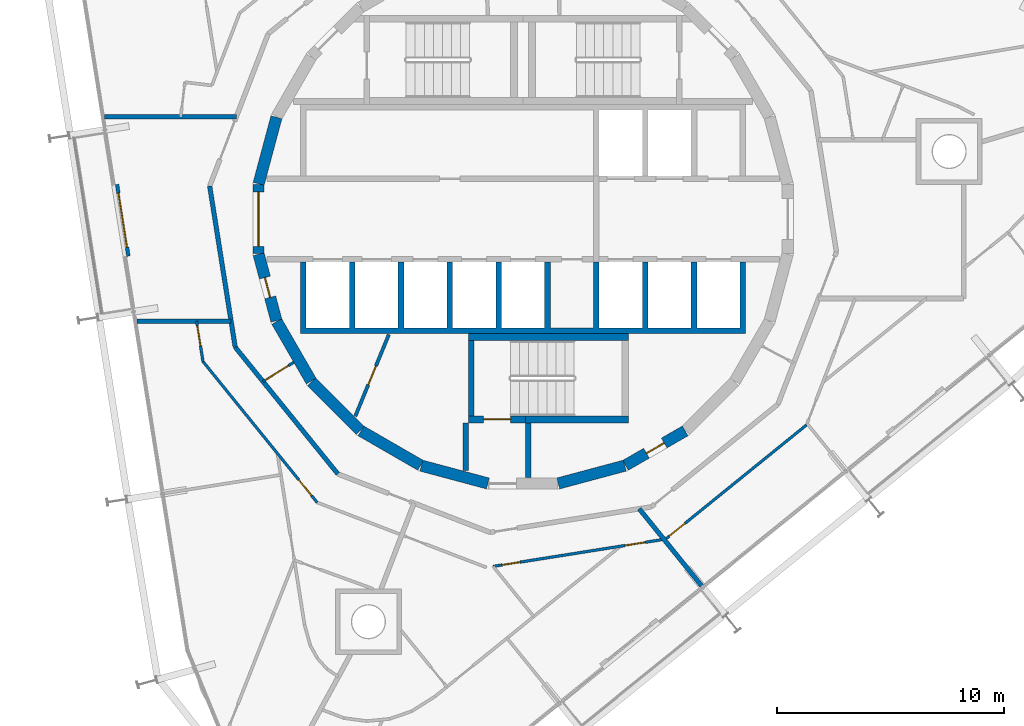
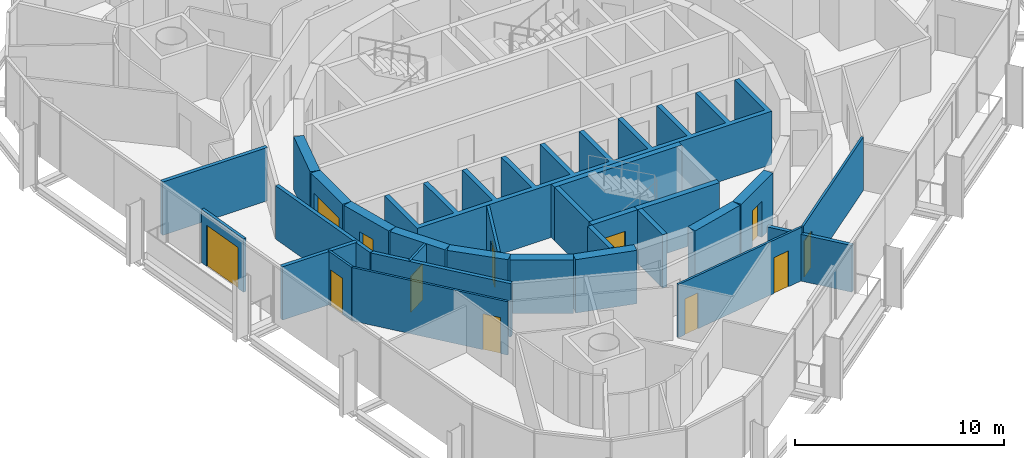
# One storey, part 12 of 17: 28 walls, 12 doors, 12 openings.
"""IFC4 building model written with IfcOpenShell, lengths in metres."""

from ifc_helpers import new_model, si_unit, direction, frame, frame_2d, origin, place, context, subcontext, project, spatial, polyline, rectangle, outline, extrude, material, layer, layer_set, type_object, element, fill, save


model = new_model("IFC4")

# Units and contexts
model_context = context("Model", 3, precision=1e-05, world=origin(), true_north=direction((0.0, 1.0)))
body_context = subcontext(model_context, "Body", "Model", "MODEL_VIEW")
ifc_project = project(units=[si_unit("LENGTHUNIT", "METRE"), si_unit("AREAUNIT", "SQUARE_METRE"), si_unit("VOLUMEUNIT", "CUBIC_METRE"), si_unit("PLANEANGLEUNIT", "RADIAN"), si_unit("MASSUNIT", "GRAM", prefix="KILO")], contexts=[model_context])

# Site, building, storey
site_placement = place(None, origin())
site = spatial("IfcSite", under=ifc_project, at=site_placement, CompositionType="ELEMENT")
building_placement = place(site_placement, origin())
building = spatial("IfcBuilding", under=site, at=building_placement, Name="Spindle Arch Residences", CompositionType="ELEMENT")
storey_placement = place(building_placement, frame((0.0, 0.0, 270.39990234375)))
storey = spatial("IfcBuildingStorey", under=building, at=storey_placement, Name="L69", CompositionType="ELEMENT", Elevation=270.39990234375)

# Wall
ifc_material_1 = material(Name="Concrete C50/60", Category="concrete")
ifc_layer_1 = layer(ifc_material_1, 0.5)
ifc_layer_set_1 = layer_set([ifc_layer_1], Name="Core outline wall 500")
wall_type_1 = type_object("IfcWallType", Name="Core outline wall 500", PredefinedType="SHEAR", material=ifc_layer_set_1)
wall_1_placement = place(storey_placement, frame((1.5498046875, -11.642822265625, 0.0), z_axis=(0.0, 0.0, 1.0), x_axis=(0.965948410781, 0.258734743916, 0.0)))
element("IfcWall", 1, at=wall_1_placement, inside=storey, type_object=wall_type_1, Name="Core outline wall 1", PredefinedType="SHEAR", context=body_context, shape_type="SweptSolid", body=[
    extrude(rectangle(XDim=3.03271484375, YDim=0.5, at=frame_2d((1.516357421875, 0.0))), origin(), (0.0, 0.0, 1.0), 3.1201171875),
])

# Wall, opening, door
wall_2_placement = place(storey_placement, frame((4.510498046875, -10.84521484375, 0.0), z_axis=(0.0, 0.0, 1.0), x_axis=(0.865975092491, 0.500087131594, 0.0)))
wall_2 = element("IfcWall", 2, at=wall_2_placement, inside=storey, type_object=wall_type_1, Name="Core outline wall 2", PredefinedType="SHEAR", context=body_context, shape_type="SweptSolid", body=[
    extrude(rectangle(XDim=3.03271484375, YDim=0.5, at=frame_2d((1.516357421875, 0.0))), origin(), (0.0, 0.0, 1.0), 3.1201171875),
])
opening_1_placement = place(wall_2_placement, frame((1.06640625, 0.0, 0.0)))
opening_1 = element("IfcOpeningElement", 3, at=opening_1_placement, cuts=wall_2, Name="Opening R7A0-WD07", PredefinedType="OPENING", context=body_context, shape_type="SweptSolid", body=[
    extrude(rectangle(XDim=0.89990234375, YDim=2.10009765625, at=frame_2d((0.449951171875, 1.050048828125))), frame((0.0, 0.260009765625, 0.0), z_axis=(0.0, -1.0, 0.0), x_axis=(1.0, 0.0, 0.0)), (0.0, 0.0, 1.0), 0.52001953125),
])
ifc_material_2 = material(Name="Steel, fire-resisting door", Category="steel")
door_type_1 = type_object("IfcDoorType", Name="Service room door 900x2100", OperationType="SINGLE_SWING_LEFT", PredefinedType="DOOR", material=ifc_material_2)
door_1_placement = place(opening_1_placement, origin())
door_1 = element("IfcDoor", 4, at=door_1_placement, inside=storey, type_object=door_type_1, Name="Service room door R7A0-WD07", OperationType="SINGLE_SWING_LEFT", OverallHeight=2.10009765625, OverallWidth=0.89990234375, PredefinedType="DOOR", context=body_context, shape_type="SweptSolid", body=[
    extrude(rectangle(XDim=0.89990234375, YDim=2.10009765625, at=frame_2d((0.449951171875, 1.050048828125))), frame((0.0, 0.02490234375, 0.0), z_axis=(0.0, -1.0, 0.0), x_axis=(1.0, 0.0, 0.0)), (0.0, 0.0, 1.0), 0.050048828125),
])
fill(opening_1, door_1)

# Wall
wall_3_placement = place(storey_placement, frame((-10.858154296875, 4.479248046875, 0.0), z_axis=(0.0, 0.0, 1.0), x_axis=(-0.258734743916, -0.965948410781, 0.0)))
element("IfcWall", 5, at=wall_3_placement, inside=storey, type_object=wall_type_1, Name="Core outline wall 17", PredefinedType="SHEAR", context=body_context, shape_type="SweptSolid", body=[
    extrude(rectangle(XDim=3.03271484375, YDim=0.5, at=frame_2d((1.516357421875, 0.0))), origin(), (0.0, 0.0, 1.0), 3.1201171875),
])

# Wall, opening, door
wall_4_placement = place(storey_placement, frame((-11.647216796875, 1.516357421875, 0.0), z_axis=(0.0, 0.0, 1.0), x_axis=(0.0, -1.0, 0.0)))
wall_4 = element("IfcWall", 6, at=wall_4_placement, inside=storey, type_object=wall_type_1, Name="Core outline wall 18", PredefinedType="SHEAR", context=body_context, shape_type="SweptSolid", body=[
    extrude(rectangle(XDim=3.03271484375, YDim=0.5, at=frame_2d((1.516357421875, 0.0))), origin(), (0.0, 0.0, 1.0), 3.1201171875),
])
opening_2_placement = place(wall_4_placement, frame((0.31640625, 0.0, 0.0)))
opening_2 = element("IfcOpeningElement", 7, at=opening_2_placement, cuts=wall_4, Name="Opening R7A0-LE01", PredefinedType="OPENING", context=body_context, shape_type="SweptSolid", body=[
    extrude(rectangle(XDim=2.39990234375, YDim=2.10009765625, at=frame_2d((1.199951171875, 1.050048828125))), frame((0.0, 0.260009765625, 0.0), z_axis=(0.0, -1.0, 0.0), x_axis=(1.0, 0.0, 0.0)), (0.0, 0.0, 1.0), 0.52001953125),
])
ifc_material_3 = material(Name="Steel, fire-resisting door", Category="steel")
door_type_2 = type_object("IfcDoorType", Name="Lift lobby entrance door 2400x2100", OperationType="DOUBLE_DOOR_SINGLE_SWING", PredefinedType="DOOR", material=ifc_material_3)
door_2_placement = place(opening_2_placement, origin())
door_2 = element("IfcDoor", 8, at=door_2_placement, inside=storey, type_object=door_type_2, Name="Lift lobby entrance door R7A0-LE01", OperationType="DOUBLE_DOOR_SINGLE_SWING", OverallHeight=2.10009765625, OverallWidth=2.39990234375, PredefinedType="DOOR", context=body_context, shape_type="SweptSolid", body=[
    extrude(rectangle(XDim=2.39990234375, YDim=2.10009765625, at=frame_2d((1.199951171875, 1.050048828125))), frame((0.0, 0.02490234375, 0.0), z_axis=(0.0, -1.0, 0.0), x_axis=(1.0, 0.0, 0.0)), (0.0, 0.0, 1.0), 0.050048828125),
])
fill(opening_2, door_2)

wall_5_placement = place(storey_placement, frame((-11.642822265625, -1.5498046875, 0.0), z_axis=(0.0, 0.0, 1.0), x_axis=(0.258734743916, -0.965948410781, 0.0)))
wall_5 = element("IfcWall", 9, at=wall_5_placement, inside=storey, type_object=wall_type_1, Name="Core outline wall 19", PredefinedType="SHEAR", context=body_context, shape_type="SweptSolid", body=[
    extrude(rectangle(XDim=3.03271484375, YDim=0.5, at=frame_2d((1.516357421875, 0.0))), origin(), (0.0, 0.0, 1.0), 3.1201171875),
])
opening_3_placement = place(wall_5_placement, frame((1.06640625, 0.0, 0.0)))
opening_3 = element("IfcOpeningElement", 10, at=opening_3_placement, cuts=wall_5, Name="Opening R7A0-WD08", PredefinedType="OPENING", context=body_context, shape_type="SweptSolid", body=[
    extrude(rectangle(XDim=0.89990234375, YDim=2.10009765625, at=frame_2d((0.449951171875, 1.050048828125))), frame((0.0, 0.260009765625, 0.0), z_axis=(0.0, -1.0, 0.0), x_axis=(1.0, 0.0, 0.0)), (0.0, 0.0, 1.0), 0.52001953125),
])
door_3_placement = place(opening_3_placement, origin())
door_3 = element("IfcDoor", 11, at=door_3_placement, inside=storey, type_object=door_type_1, Name="Service room door R7A0-WD08", OperationType="SINGLE_SWING_RIGHT", OverallHeight=2.10009765625, OverallWidth=0.89990234375, PredefinedType="DOOR", context=body_context, shape_type="SweptSolid", body=[
    extrude(rectangle(XDim=0.89990234375, YDim=2.10009765625, at=frame_2d((0.449951171875, 1.050048828125))), frame((0.0, 0.02490234375, 0.0), z_axis=(0.0, -1.0, 0.0), x_axis=(1.0, 0.0, 0.0)), (0.0, 0.0, 1.0), 0.050048828125),
])
fill(opening_3, door_3)

# Walls
wall_6_placement = place(storey_placement, frame((-10.84521484375, -4.510498046875, 0.0), z_axis=(0.0, 0.0, 1.0), x_axis=(0.500087131594, -0.865975092491, 0.0)))
element("IfcWall", 12, at=wall_6_placement, inside=storey, type_object=wall_type_1, Name="Core outline wall 20", PredefinedType="SHEAR", context=body_context, shape_type="SweptSolid", body=[
    extrude(rectangle(XDim=3.03271484375, YDim=0.5, at=frame_2d((1.516357421875, 0.0))), origin(), (0.0, 0.0, 1.0), 3.1201171875),
])
wall_7_placement = place(storey_placement, frame((-9.30810546875, -7.163818359375, 0.0), z_axis=(0.0, 0.0, 1.0), x_axis=(0.707106781187, -0.707106781187, 0.0)))
element("IfcWall", 13, at=wall_7_placement, inside=storey, type_object=wall_type_1, Name="Core outline wall 21", PredefinedType="SHEAR", context=body_context, shape_type="SweptSolid", body=[
    extrude(rectangle(XDim=3.032470703125, YDim=0.5, at=frame_2d((1.51611328125, 0.0))), origin(), (0.0, 0.0, 1.0), 3.1201171875),
])
for number, where, z_axis, x_axis, name in (
    (14, (-7.13671875, -9.32861328125, 0.0), (0.0, 0.0, 1.0), (0.865975092491, -0.500087131594, 0.0), "Core outline wall 22"),
    (15, (-4.479248046875, -10.858154296875, 0.0), (0.0, 0.0, 1.0), (0.965948410781, -0.258734743916, 0.0), "Core outline wall 23"),
):
    element("IfcWall", number, at=place(storey_placement, frame(where, z_axis=z_axis, x_axis=x_axis)), inside=storey, type_object=wall_type_1, Name=name, PredefinedType="SHEAR", context=body_context, shape_type="SweptSolid", body=[
        extrude(rectangle(XDim=3.03271484375, YDim=0.5, at=frame_2d((1.516357421875, 0.0))), origin(), (0.0, 0.0, 1.0), 3.1201171875),
    ])

# Wall, opening, door
ifc_material_4 = material(Name="Plasterboard on steel studs", Category="steel")
ifc_layer_2 = layer(ifc_material_4, 0.1201171875)
ifc_layer_set_2 = layer_set([ifc_layer_2], Name="Corridor division wall 120")
wall_type_2 = type_object("IfcWallType", Name="Corridor division wall 120", PredefinedType="PARTITIONING", material=ifc_layer_set_2)
wall_8_placement = place(storey_placement, frame((-11.44921875, -7.154296875, 0.0), z_axis=(0.0, 0.0, 1.0), x_axis=(0.848067047543, 0.529888934468, 0.0)))
wall_8 = element("IfcWall", 16, at=wall_8_placement, inside=storey, type_object=wall_type_2, Name="Corridor division wall R7A0-W003", PredefinedType="PARTITIONING", context=body_context, shape_type="SweptSolid", body=[
    extrude(rectangle(XDim=1.595947265625, YDim=0.1201171875, at=frame_2d((0.7978515625, 0.0))), origin(), (0.0, 0.0, 1.0), 3.1201171875),
])
opening_4_placement = place(wall_8_placement, frame((0.1201171875, 0.0, 0.0)))
opening_4 = element("IfcOpeningElement", 17, at=opening_4_placement, cuts=wall_8, Name="Opening R7A0-CD03", PredefinedType="OPENING", context=body_context, shape_type="SweptSolid", body=[
    extrude(rectangle(XDim=1.199951171875, YDim=2.10009765625, at=frame_2d((0.60009765625, 1.050048828125))), frame((0.0, 0.070068359375, 0.0), z_axis=(0.0, -1.0, 0.0), x_axis=(1.0, 0.0, 0.0)), (0.0, 0.0, 1.0), 0.14013671875),
])
ifc_material_5 = material(Name="Steel, fire-resisting door", Category="steel")
door_type_3 = type_object("IfcDoorType", Name="Corridor division door 1200x2100", OperationType="NOTDEFINED", PredefinedType="DOOR", material=ifc_material_5)
door_4_placement = place(opening_4_placement, origin())
door_4 = element("IfcDoor", 18, at=door_4_placement, inside=storey, type_object=door_type_3, Name="Corridor division door R7A0-CD03", OperationType="DOUBLE_DOOR_SINGLE_SWING", OverallHeight=2.10009765625, OverallWidth=1.199951171875, PredefinedType="DOOR", context=body_context, shape_type="SweptSolid", body=[
    extrude(rectangle(XDim=1.199951171875, YDim=2.10009765625, at=frame_2d((0.60009765625, 1.050048828125))), frame((0.0, 0.02490234375, 0.0), z_axis=(0.0, -1.0, 0.0), x_axis=(1.0, 0.0, 0.0)), (0.0, 0.0, 1.0), 0.050048828125),
])
fill(opening_4, door_4)

# Wall
ifc_material_6 = material(Name="Calcium silicate block, plastered")
ifc_layer_3 = layer(ifc_material_6, 0.199951171875)
ifc_layer_set_3 = layer_set([ifc_layer_3], Name="Corridor wall 200")
wall_type_3 = type_object("IfcWallType", Name="Corridor wall 200", PredefinedType="STANDARD", material=ifc_layer_set_3)
wall_9_placement = place(storey_placement, frame((-12.67333984375, -5.642578125, 0.0), z_axis=(0.0, 0.0, 1.0), x_axis=(0.629302871585, -0.777160148113, 0.0)))
element("IfcWall", 19, at=wall_9_placement, inside=storey, type_object=wall_type_3, Name="Corridor wall R7A0-W012", PredefinedType="STANDARD", context=body_context, shape_type="SweptSolid", body=[
    extrude(rectangle(XDim=7.180908203125, YDim=0.199951171875, at=frame_2d((3.59033203125, 0.0))), origin(), (0.0, 0.0, 1.0), 3.1201171875),
])

# Wall, opening, door
ifc_material_7 = material(Name="Plasterboard on steel studs", Category="steel")
ifc_layer_4 = layer(ifc_material_7, 0.1201171875)
ifc_layer_set_4 = layer_set([ifc_layer_4], Name="Flat partition 120")
wall_type_4 = type_object("IfcWallType", Name="Flat partition 120", PredefinedType="PARTITIONING", material=ifc_layer_set_4)
wall_10_placement = place(storey_placement, frame((-14.373046875, -4.5, 0.0), z_axis=(0.0, 0.0, 1.0), x_axis=(0.156437152886, -0.987687914878, 0.0)))
wall_10 = element("IfcWall", 20, at=wall_10_placement, inside=storey, type_object=wall_type_4, Name="Flat partition R7A0-W063", PredefinedType="PARTITIONING", context=body_context, shape_type="SweptSolid", body=[
    extrude(rectangle(XDim=1.79638671875, YDim=0.1201171875, at=frame_2d((0.898193359375, 0.0))), origin(), (0.0, 0.0, 1.0), 3.1201171875),
])
opening_5_placement = place(wall_10_placement, frame((0.199951171875, 0.0, 0.0)))
opening_5 = element("IfcOpeningElement", 21, at=opening_5_placement, cuts=wall_10, Name="Opening R7A0-ID14", PredefinedType="OPENING", context=body_context, shape_type="SweptSolid", body=[
    extrude(rectangle(XDim=0.89990234375, YDim=2.10009765625, at=frame_2d((0.449951171875, 1.050048828125))), frame((0.0, 0.070068359375, 0.0), z_axis=(0.0, -1.0, 0.0), x_axis=(1.0, 0.0, 0.0)), (0.0, 0.0, 1.0), 0.14013671875),
])
ifc_material_8 = material(Name="Timber door set", Category="wood")
door_type_4 = type_object("IfcDoorType", Name="Room door 900x2100", OperationType="NOTDEFINED", PredefinedType="DOOR", material=ifc_material_8)
door_5_placement = place(opening_5_placement, origin())
door_5 = element("IfcDoor", 22, at=door_5_placement, inside=storey, type_object=door_type_4, Name="Room door R7A0-ID14", OperationType="SINGLE_SWING_RIGHT", OverallHeight=2.10009765625, OverallWidth=0.89990234375, PredefinedType="DOOR", context=body_context, shape_type="SweptSolid", body=[
    extrude(rectangle(XDim=0.89990234375, YDim=2.10009765625, at=frame_2d((0.449951171875, 1.050048828125))), frame((0.0, 0.02490234375, 0.0), z_axis=(0.0, -1.0, 0.0), x_axis=(1.0, 0.0, 0.0)), (0.0, 0.0, 1.0), 0.050048828125),
])
fill(opening_5, door_5)

wall_11_placement = place(storey_placement, frame((-14.092041015625, -6.274169921875, 0.0), z_axis=(0.0, 0.0, 1.0), x_axis=(0.62933367237, -0.777135206268, 0.0)))
wall_11 = element("IfcWall", 23, at=wall_11_placement, inside=storey, type_object=wall_type_4, Name="Flat partition R7A0-W064", PredefinedType="PARTITIONING", context=body_context, shape_type="SweptSolid", body=[
    extrude(rectangle(XDim=7.98486328125, YDim=0.1201171875, at=frame_2d((3.992431640625, 0.0))), origin(), (0.0, 0.0, 1.0), 3.1201171875),
])
opening_6_placement = place(wall_11_placement, frame((6.706787109375, 0.0, 0.0)))
opening_6 = element("IfcOpeningElement", 24, at=opening_6_placement, cuts=wall_11, Name="Opening R7A0-ID15", PredefinedType="OPENING", context=body_context, shape_type="SweptSolid", body=[
    extrude(rectangle(XDim=0.89990234375, YDim=2.10009765625, at=frame_2d((0.449951171875, 1.050048828125))), frame((0.0, 0.070068359375, 0.0), z_axis=(0.0, -1.0, 0.0), x_axis=(1.0, 0.0, 0.0)), (0.0, 0.0, 1.0), 0.14013671875),
])
door_6_placement = place(opening_6_placement, origin())
door_6 = element("IfcDoor", 25, at=door_6_placement, inside=storey, type_object=door_type_4, Name="Room door R7A0-ID15", OperationType="SINGLE_SWING_RIGHT", OverallHeight=2.10009765625, OverallWidth=0.89990234375, PredefinedType="DOOR", context=body_context, shape_type="SweptSolid", body=[
    extrude(rectangle(XDim=0.89990234375, YDim=2.10009765625, at=frame_2d((0.449951171875, 1.050048828125))), frame((0.0, 0.02490234375, 0.0), z_axis=(0.0, -1.0, 0.0), x_axis=(1.0, 0.0, 0.0)), (0.0, 0.0, 1.0), 0.050048828125),
])
fill(opening_6, door_6)

# Wall, openings, doors
wall_12_placement = place(storey_placement, frame((-1.318359375, -15.29443359375, 0.0), z_axis=(0.0, 0.0, 1.0), x_axis=(0.987689040792, 0.156430044108, 0.0)))
wall_12 = element("IfcWall", 26, at=wall_12_placement, inside=storey, type_object=wall_type_4, Name="Flat partition R7A0-W074", PredefinedType="PARTITIONING", context=body_context, shape_type="SweptSolid", body=[
    extrude(rectangle(XDim=7.6162109375, YDim=0.1201171875, at=frame_2d((3.80810546875, 0.0))), origin(), (0.0, 0.0, 1.0), 3.1201171875),
])
opening_7_placement = place(wall_12_placement, frame((0.39990234375, 0.0, 0.0)))
opening_7 = element("IfcOpeningElement", 27, at=opening_7_placement, cuts=wall_12, Name="Opening R7A0-BD05", PredefinedType="OPENING", context=body_context, shape_type="SweptSolid", body=[
    extrude(rectangle(XDim=0.800048828125, YDim=2.10009765625, at=frame_2d((0.39990234375, 1.050048828125))), frame((0.0, 0.070068359375, 0.0), z_axis=(0.0, -1.0, 0.0), x_axis=(1.0, 0.0, 0.0)), (0.0, 0.0, 1.0), 0.14013671875),
])
opening_8_placement = place(wall_12_placement, frame((5.88037109375, 0.0, 0.0)))
opening_8 = element("IfcOpeningElement", 28, at=opening_8_placement, cuts=wall_12, Name="Opening R7A0-ID19", PredefinedType="OPENING", context=body_context, shape_type="SweptSolid", body=[
    extrude(rectangle(XDim=0.89990234375, YDim=2.10009765625, at=frame_2d((0.449951171875, 1.050048828125))), frame((0.0, 0.070068359375, 0.0), z_axis=(0.0, -1.0, 0.0), x_axis=(1.0, 0.0, 0.0)), (0.0, 0.0, 1.0), 0.14013671875),
])
ifc_material_9 = material(Name="Timber door set", Category="wood")
door_type_5 = type_object("IfcDoorType", Name="Bathroom door 800x2100", OperationType="NOTDEFINED", PredefinedType="DOOR", material=ifc_material_9)
door_7_placement = place(opening_7_placement, origin())
door_7 = element("IfcDoor", 29, at=door_7_placement, inside=storey, type_object=door_type_5, Name="Bathroom door R7A0-BD05", OperationType="SINGLE_SWING_LEFT", OverallHeight=2.10009765625, OverallWidth=0.800048828125, PredefinedType="DOOR", context=body_context, shape_type="SweptSolid", body=[
    extrude(rectangle(XDim=0.800048828125, YDim=2.10009765625, at=frame_2d((0.39990234375, 1.050048828125))), frame((0.0, 0.02490234375, 0.0), z_axis=(0.0, -1.0, 0.0), x_axis=(1.0, 0.0, 0.0)), (0.0, 0.0, 1.0), 0.050048828125),
])
fill(opening_7, door_7)
door_8_placement = place(opening_8_placement, origin())
door_8 = element("IfcDoor", 30, at=door_8_placement, inside=storey, type_object=door_type_4, Name="Room door R7A0-ID19", OperationType="SINGLE_SWING_LEFT", OverallHeight=2.10009765625, OverallWidth=0.89990234375, PredefinedType="DOOR", context=body_context, shape_type="SweptSolid", body=[
    extrude(rectangle(XDim=0.89990234375, YDim=2.10009765625, at=frame_2d((0.449951171875, 1.050048828125))), frame((0.0, 0.02490234375, 0.0), z_axis=(0.0, -1.0, 0.0), x_axis=(1.0, 0.0, 0.0)), (0.0, 0.0, 1.0), 0.050048828125),
])
fill(opening_8, door_8)

# Wall, opening, door
wall_13_placement = place(storey_placement, frame((6.274169921875, -14.092041015625, 0.0), z_axis=(0.0, 0.0, 1.0), x_axis=(0.777135206268, 0.62933367237, 0.0)))
wall_13 = element("IfcWall", 31, at=wall_13_placement, inside=storey, type_object=wall_type_4, Name="Flat partition R7A0-W085", PredefinedType="PARTITIONING", context=body_context, shape_type="SweptSolid", body=[
    extrude(rectangle(XDim=7.98486328125, YDim=0.1201171875, at=frame_2d((3.992431640625, 0.0))), origin(), (0.0, 0.0, 1.0), 3.1201171875),
])
opening_9_placement = place(wall_13_placement, frame((0.199951171875, 0.0, 0.0)))
opening_9 = element("IfcOpeningElement", 32, at=opening_9_placement, cuts=wall_13, Name="Opening R7A0-ID23", PredefinedType="OPENING", context=body_context, shape_type="SweptSolid", body=[
    extrude(rectangle(XDim=0.89990234375, YDim=2.10009765625, at=frame_2d((0.449951171875, 1.050048828125))), frame((0.0, 0.070068359375, 0.0), z_axis=(0.0, -1.0, 0.0), x_axis=(1.0, 0.0, 0.0)), (0.0, 0.0, 1.0), 0.14013671875),
])
door_9_placement = place(opening_9_placement, origin())
door_9 = element("IfcDoor", 33, at=door_9_placement, inside=storey, type_object=door_type_4, Name="Room door R7A0-ID23", OperationType="SINGLE_SWING_LEFT", OverallHeight=2.10009765625, OverallWidth=0.89990234375, PredefinedType="DOOR", context=body_context, shape_type="SweptSolid", body=[
    extrude(rectangle(XDim=0.89990234375, YDim=2.10009765625, at=frame_2d((0.449951171875, 1.050048828125))), frame((0.0, 0.02490234375, 0.0), z_axis=(0.0, -1.0, 0.0), x_axis=(1.0, 0.0, 0.0)), (0.0, 0.0, 1.0), 0.050048828125),
])
fill(opening_9, door_9)

# Wall
ifc_material_10 = material(Name="Calcium silicate block, plastered")
ifc_layer_5 = layer(ifc_material_10, 0.199951171875)
ifc_layer_set_5 = layer_set([ifc_layer_5], Name="Flat party wall 200 under beam 2730")
wall_type_5 = type_object("IfcWallType", Name="Flat party wall 200 under beam 2730", PredefinedType="STANDARD", material=ifc_layer_set_5)
wall_14_placement = place(storey_placement, frame((7.860595703125, -16.1484375, 0.0), z_axis=(0.0, 0.0, 1.0), x_axis=(-0.629330189513, 0.777138026716, 0.0)))
element("IfcWall", 34, at=wall_14_placement, inside=storey, type_object=wall_type_5, Name="Flat party wall R7A0-W029", PredefinedType="STANDARD", context=body_context, shape_type="SweptSolid", body=[
    extrude(rectangle(XDim=4.364013671875, YDim=0.199951171875, at=frame_2d((2.18212890625, 0.0))), origin(), (0.0, 0.0, 1.0), 2.72998046875),
])

# Wall, opening, door
ifc_material_11 = material(Name="Non-combustible mineral wool insulated aluminium faced external wall (K0)", Category="aluminium")
ifc_layer_6 = layer(ifc_material_11, 0.159912109375)
ifc_layer_set_6 = layer_set([ifc_layer_6], Name="Insulated external wall panel 160")
wall_type_6 = type_object("IfcWallType", Name="Insulated external wall panel 160", PredefinedType="STANDARD", material=ifc_layer_set_6)
wall_15_placement = place(storey_placement, frame((-17.875244140625, 1.52490234375, 0.0), z_axis=(0.0, 0.0, 1.0), x_axis=(0.156413134305, -0.987691718816, 0.0)))
wall_15 = element("IfcWall", 35, at=wall_15_placement, inside=storey, type_object=wall_type_6, Name="External wall L69 bay 13", PredefinedType="STANDARD", context=body_context, shape_type="SweptSolid", body=[
    extrude(rectangle(XDim=3.19970703125, YDim=0.159912109375, at=frame_2d((1.599853515625, 0.0))), origin(), (0.0, 0.0, 1.0), 3.1201171875),
])
opening_10_placement = place(wall_15_placement, frame((0.39990234375, 0.0, 0.0)))
opening_10 = element("IfcOpeningElement", 36, at=opening_10_placement, cuts=wall_15, Name="Opening BD13", PredefinedType="OPENING", context=body_context, shape_type="SweptSolid", body=[
    extrude(rectangle(XDim=2.39990234375, YDim=2.39990234375, at=frame_2d((1.199951171875, 1.199951171875))), frame((0.0, 0.08984375, 0.0), z_axis=(0.0, -1.0, 0.0), x_axis=(1.0, 0.0, 0.0)), (0.0, 0.0, 1.0), 0.179931640625),
])
ifc_material_12 = material(Name="Bronze aluminium frame, tinted double glazing", Category="aluminium")
door_type_6 = type_object("IfcDoorType", Name="Sliding glazed balcony door 2400x2400", OperationType="DOUBLE_DOOR_SLIDING", PredefinedType="DOOR", material=ifc_material_12)
door_10_placement = place(opening_10_placement, origin())
door_10 = element("IfcDoor", 37, at=door_10_placement, inside=storey, type_object=door_type_6, Name="Balcony door BD13", OperationType="DOUBLE_DOOR_SLIDING", OverallHeight=2.39990234375, OverallWidth=2.39990234375, PredefinedType="DOOR", context=body_context, shape_type="SweptSolid", body=[
    extrude(rectangle(XDim=2.39990234375, YDim=2.39990234375, at=frame_2d((1.199951171875, 1.199951171875))), frame((0.0, 0.02490234375, 0.0), z_axis=(0.0, -1.0, 0.0), x_axis=(1.0, 0.0, 0.0)), (0.0, 0.0, 1.0), 0.050048828125),
])
fill(opening_10, door_10)

# Walls
ifc_material_13 = material(Name="Calcium silicate block, plastered")
ifc_layer_7 = layer(ifc_material_13, 0.199951171875)
ifc_layer_set_7 = layer_set([ifc_layer_7], Name="Lift lobby bay wall 200")
wall_type_7 = type_object("IfcWallType", Name="Lift lobby bay wall 200", PredefinedType="STANDARD", material=ifc_layer_set_7)
wall_16_placement = place(storey_placement, frame((-13.796630859375, 1.4501953125, 0.0), z_axis=(0.0, 0.0, 1.0), x_axis=(0.156421704315, -0.987690361611, 0.0)))
element("IfcWall", 38, at=wall_16_placement, inside=storey, type_object=wall_type_7, Name="Lift lobby bay wall R7A0-W010", PredefinedType="STANDARD", context=body_context, shape_type="SweptSolid", body=[
    extrude(rectangle(XDim=7.18115234375, YDim=0.199951171875, at=frame_2d((3.590576171875, 0.0))), origin(), (0.0, 0.0, 1.0), 3.1201171875),
])
wall_17_placement = place(storey_placement, frame((-12.6259765625, 4.5, 0.0), z_axis=(0.0, 0.0, 1.0), x_axis=(-1.0, 0.0, 0.0)))
element("IfcWall", 39, at=wall_17_placement, inside=storey, type_object=wall_type_7, Name="Lift lobby bay wall R7A0-W016", PredefinedType="STANDARD", context=body_context, shape_type="SweptSolid", body=[
    extrude(rectangle(XDim=5.801513671875, YDim=0.199951171875, at=frame_2d((2.90087890625, 0.0))), origin(), (0.0, 0.0, 1.0), 3.1201171875),
])
wall_18_placement = place(storey_placement, frame((-17.001953125, -4.5, 0.0), z_axis=(0.0, 0.0, 1.0), x_axis=(1.0, 0.0, 0.0)))
element("IfcWall", 40, at=wall_18_placement, inside=storey, type_object=wall_type_7, Name="Lift lobby bay wall R7A0-W017", PredefinedType="STANDARD", context=body_context, shape_type="SweptSolid", body=[
    extrude(rectangle(XDim=4.147705078125, YDim=0.199951171875, at=frame_2d((2.07373046875, 0.0))), origin(), (0.0, 0.0, 1.0), 3.1201171875),
])
ifc_material_14 = material(Name="Concrete C50/60", Category="concrete")
wall_type_8 = type_object("IfcWallType", Name="Lift shaft wall profile", PredefinedType="SHEAR", material=ifc_material_14)
wall_19_placement = place(storey_placement, origin())
element("IfcWall", 41, at=wall_19_placement, inside=storey, type_object=wall_type_8, Name="Lift shaft walls S", PredefinedType="SHEAR", context=body_context, shape_type="SweptSolid", body=[
    extrude(outline(polyline([(9.800048828125, -5.050048828125), (9.800048828125, -4.800048828125), (9.800048828125, -1.89990234375), (9.550048828125, -1.89990234375), (9.550048828125, -4.800048828125), (7.64990234375, -4.800048828125), (7.64990234375, -1.89990234375), (7.39990234375, -1.89990234375), (7.39990234375, -4.800048828125), (5.5, -4.800048828125), (5.5, -1.89990234375), (5.25, -1.89990234375), (5.25, -4.800048828125), (3.35009765625, -4.800048828125), (3.35009765625, -1.89990234375), (3.10009765625, -1.89990234375), (3.10009765625, -4.800048828125), (1.199951171875, -4.800048828125), (1.199951171875, -1.89990234375), (0.949951171875, -1.89990234375), (0.949951171875, -4.800048828125), (-0.949951171875, -4.800048828125), (-0.949951171875, -1.89990234375), (-1.199951171875, -1.89990234375), (-1.199951171875, -4.800048828125), (-3.10009765625, -4.800048828125), (-3.10009765625, -1.89990234375), (-3.35009765625, -1.89990234375), (-3.35009765625, -4.800048828125), (-5.25, -4.800048828125), (-5.25, -1.89990234375), (-5.5, -1.89990234375), (-5.5, -4.800048828125), (-7.39990234375, -4.800048828125), (-7.39990234375, -1.89990234375), (-7.64990234375, -1.89990234375), (-7.64990234375, -4.800048828125), (-9.550048828125, -4.800048828125), (-9.550048828125, -1.89990234375), (-9.800048828125, -1.89990234375), (-9.800048828125, -4.800048828125), (-9.800048828125, -5.050048828125), (9.800048828125, -5.050048828125)])), origin(), (0.0, 0.0, 1.0), 3.1201171875),
])

# Wall, opening, door
ifc_material_15 = material(Name="Concrete C25/30", Category="concrete")
ifc_layer_8 = layer(ifc_material_15, 0.14990234375)
ifc_layer_set_8 = layer_set([ifc_layer_8], Name="Service room partition 150")
wall_type_9 = type_object("IfcWallType", Name="Service room partition 150", PredefinedType="PARTITIONING", material=ifc_layer_set_8)
wall_20_placement = place(storey_placement, frame((-7.385009765625, -8.680908203125, 0.0), z_axis=(0.0, 0.0, 1.0), x_axis=(0.379804590409, 0.925066739811, 0.0)))
wall_20 = element("IfcWall", 42, at=wall_20_placement, inside=storey, type_object=wall_type_9, Name="Core service room partition", PredefinedType="PARTITIONING", context=body_context, shape_type="SweptSolid", body=[
    extrude(rectangle(XDim=3.885009765625, YDim=0.14990234375, at=frame_2d((1.9423828125, 0.0))), origin(), (0.0, 0.0, 1.0), 3.1201171875),
])
opening_11_placement = place(wall_20_placement, frame((1.49267578125, 0.0, 0.0)))
opening_11 = element("IfcOpeningElement", 43, at=opening_11_placement, cuts=wall_20, Name="Opening R7A0-WD04", PredefinedType="OPENING", context=body_context, shape_type="SweptSolid", body=[
    extrude(rectangle(XDim=0.89990234375, YDim=2.10009765625, at=frame_2d((0.449951171875, 1.050048828125))), frame((0.0, 0.0849609375, 0.0), z_axis=(0.0, -1.0, 0.0), x_axis=(1.0, 0.0, 0.0)), (0.0, 0.0, 1.0), 0.169921875),
])
door_11_placement = place(opening_11_placement, origin())
door_11 = element("IfcDoor", 44, at=door_11_placement, inside=storey, type_object=door_type_1, Name="Service room door R7A0-WD04", OperationType="SINGLE_SWING_RIGHT", OverallHeight=2.10009765625, OverallWidth=0.89990234375, PredefinedType="DOOR", context=body_context, shape_type="SweptSolid", body=[
    extrude(rectangle(XDim=0.89990234375, YDim=2.10009765625, at=frame_2d((0.449951171875, 1.050048828125))), frame((0.0, 0.02490234375, 0.0), z_axis=(0.0, -1.0, 0.0), x_axis=(1.0, 0.0, 0.0)), (0.0, 0.0, 1.0), 0.050048828125),
])
fill(opening_11, door_11)

# Walls
ifc_material_16 = material(Name="Concrete C40/50", Category="concrete")
ifc_layer_9 = layer(ifc_material_16, 0.25)
ifc_layer_set_9 = layer_set([ifc_layer_9], Name="Stair airlock wall 250")
wall_type_10 = type_object("IfcWallType", Name="Stair airlock wall 250", PredefinedType="SHEAR", material=ifc_layer_set_9)
wall_21_placement = place(storey_placement, frame((-2.52490234375, -8.969970703125, 0.0), z_axis=(0.0, 0.0, 1.0), x_axis=(0.0, -1.0, 0.0)))
element("IfcWall", 45, at=wall_21_placement, inside=storey, type_object=wall_type_10, Name="Stair ST-3 airlock wall W", PredefinedType="SHEAR", context=body_context, shape_type="SweptSolid", body=[
    extrude(rectangle(XDim=2.110107421875, YDim=0.25, at=frame_2d((1.05517578125, 0.0))), origin(), (0.0, 0.0, 1.0), 3.1201171875),
])
wall_22_placement = place(storey_placement, frame((0.22509765625, -8.969970703125, 0.0), z_axis=(0.0, 0.0, 1.0), x_axis=(0.0, -1.0, 0.0)))
element("IfcWall", 46, at=wall_22_placement, inside=storey, type_object=wall_type_10, Name="Stair ST-3 airlock wall E", PredefinedType="SHEAR", context=body_context, shape_type="SweptSolid", body=[
    extrude(rectangle(XDim=2.409912109375, YDim=0.25, at=frame_2d((1.205078125, 0.0))), origin(), (0.0, 0.0, 1.0), 3.1201171875),
])
ifc_material_17 = material(Name="Concrete C50/60", Category="concrete")
ifc_layer_10 = layer(ifc_material_17, 0.25)
ifc_layer_set_10 = layer_set([ifc_layer_10], Name="Stair enclosure wall 250")
wall_type_11 = type_object("IfcWallType", Name="Stair enclosure wall 250", PredefinedType="SHEAR", material=ifc_layer_set_10)
wall_23_placement = place(storey_placement, frame((-2.27490234375, -8.669921875, 0.0), z_axis=(0.0, 0.0, 1.0), x_axis=(0.0, 1.0, 0.0)))
element("IfcWall", 47, at=wall_23_placement, inside=storey, type_object=wall_type_11, Name="Stair ST-3 enclosure wall W", PredefinedType="SHEAR", context=body_context, shape_type="SweptSolid", body=[
    extrude(rectangle(XDim=3.31982421875, YDim=0.25, at=frame_2d((1.659912109375, 0.0))), origin(), (0.0, 0.0, 1.0), 3.1201171875),
])
ifc_material_18 = material(Name="Concrete C50/60", Category="concrete")
ifc_layer_11 = layer(ifc_material_18, 0.300048828125)
ifc_layer_set_11 = layer_set([ifc_layer_11], Name="Stair enclosure wall 300")
wall_type_12 = type_object("IfcWallType", Name="Stair enclosure wall 300", PredefinedType="SHEAR", material=ifc_layer_set_11)
wall_24_placement = place(storey_placement, frame((-2.39990234375, -5.199951171875, 0.0), z_axis=(0.0, 0.0, 1.0), x_axis=(1.0, 0.0, 0.0)))
element("IfcWall", 48, at=wall_24_placement, inside=storey, type_object=wall_type_12, Name="Stair ST-3 enclosure wall N", PredefinedType="SHEAR", context=body_context, shape_type="SweptSolid", body=[
    extrude(rectangle(XDim=7.0498046875, YDim=0.300048828125, at=frame_2d((3.52490234375, 0.0))), origin(), (0.0, 0.0, 1.0), 3.1201171875),
])
wall_25_placement = place(storey_placement, frame((0.10009765625, -8.820068359375, 0.0), z_axis=(0.0, 0.0, 1.0), x_axis=(1.0, 0.0, 0.0)))
element("IfcWall", 49, at=wall_25_placement, inside=storey, type_object=wall_type_12, Name="Stair ST-3 enclosure wall S", PredefinedType="SHEAR", context=body_context, shape_type="SweptSolid", body=[
    extrude(rectangle(XDim=4.5498046875, YDim=0.300048828125, at=frame_2d((2.27490234375, 0.0))), origin(), (0.0, 0.0, 1.0), 3.1201171875),
])

# Wall, opening, door
wall_26_placement = place(storey_placement, frame((-2.39990234375, -8.820068359375, 0.0), z_axis=(0.0, 0.0, 1.0), x_axis=(1.0, 0.0, 0.0)))
wall_26 = element("IfcWall", 50, at=wall_26_placement, inside=storey, type_object=wall_type_12, Name="Stair ST-3 door wall", PredefinedType="SHEAR", context=body_context, shape_type="SweptSolid", body=[
    extrude(rectangle(XDim=2.5, YDim=0.300048828125, at=frame_2d((1.25, 0.0))), origin(), (0.0, 0.0, 1.0), 3.1201171875),
])
opening_12_placement = place(wall_26_placement, frame((0.64990234375, 0.0, 0.0)))
opening_12 = element("IfcOpeningElement", 51, at=opening_12_placement, cuts=wall_26, Name="Opening R7A0-SD03", PredefinedType="OPENING", context=body_context, shape_type="SweptSolid", body=[
    extrude(rectangle(XDim=1.199951171875, YDim=2.10009765625, at=frame_2d((0.60009765625, 1.050048828125))), frame((0.0, 0.16015625, 0.0), z_axis=(0.0, -1.0, 0.0), x_axis=(1.0, 0.0, 0.0)), (0.0, 0.0, 1.0), 0.320068359375),
])
ifc_material_19 = material(Name="Steel, fire-resisting door", Category="steel")
door_type_7 = type_object("IfcDoorType", Name="Stair door 1200x2100", OperationType="SINGLE_SWING_RIGHT", PredefinedType="DOOR", material=ifc_material_19)
door_12_placement = place(opening_12_placement, origin())
door_12 = element("IfcDoor", 52, at=door_12_placement, inside=storey, type_object=door_type_7, Name="Stair door R7A0-SD03", OperationType="SINGLE_SWING_LEFT", OverallHeight=2.10009765625, OverallWidth=1.199951171875, PredefinedType="DOOR", context=body_context, shape_type="SweptSolid", body=[
    extrude(rectangle(XDim=1.199951171875, YDim=2.10009765625, at=frame_2d((0.60009765625, 1.050048828125))), frame((0.0, 0.02490234375, 0.0), z_axis=(0.0, -1.0, 0.0), x_axis=(1.0, 0.0, 0.0)), (0.0, 0.0, 1.0), 0.050048828125),
])
fill(opening_12, door_12)

save(model, "model.ifc")
